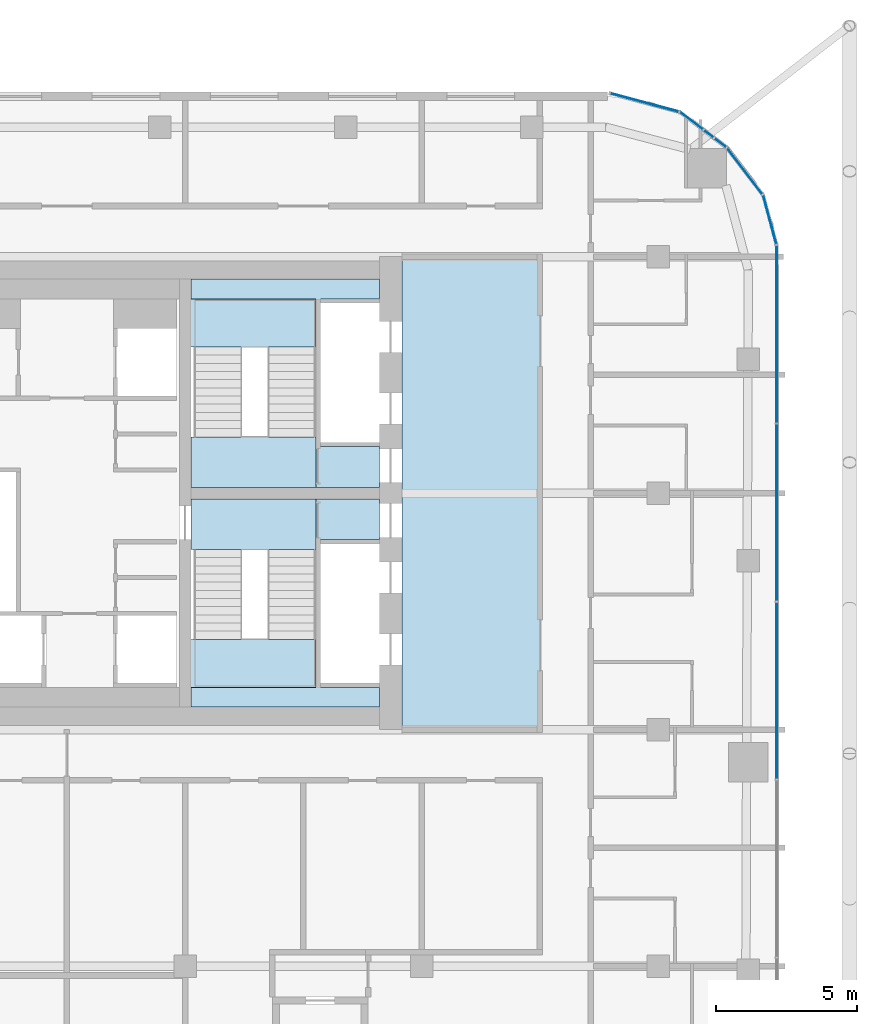
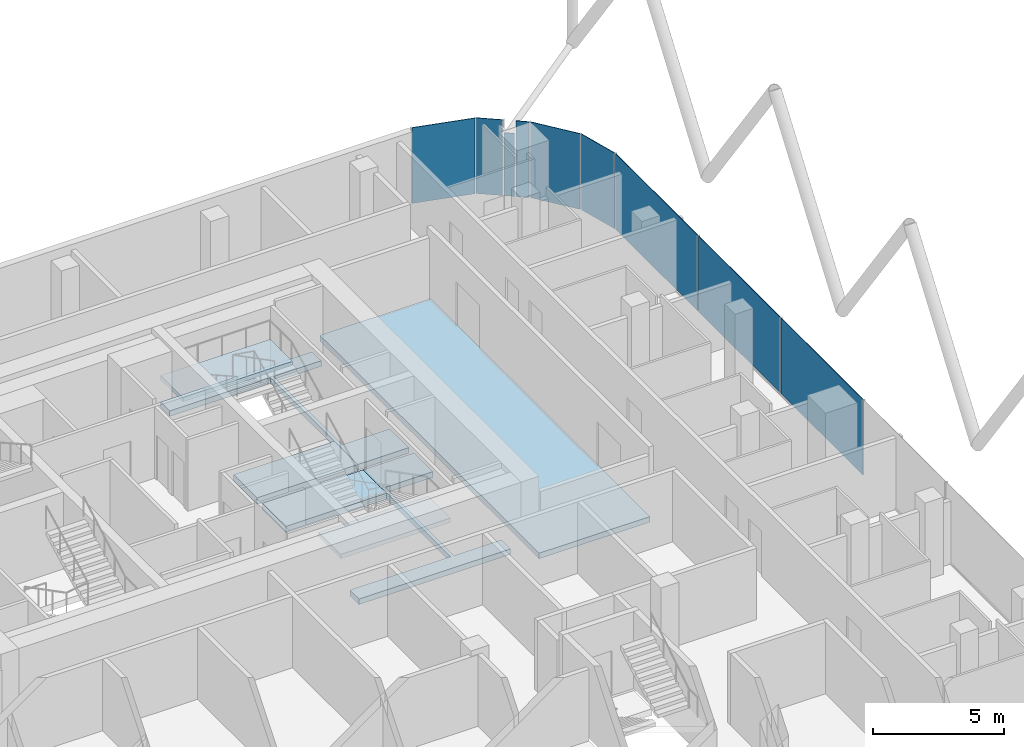
# One storey, part 19 of 28: 9 plates, 7 slabs, 9 elements without a shape of their own.
"""IFC4 building model written with IfcOpenShell, lengths in metres."""

from ifc_helpers import new_model, si_unit, direction, frame, origin, origin_2d, place, context, subcontext, project, spatial, polyline, rectangle, outline, extrude, material, layer, layer_set, type_object, element, aggregate, save


model = new_model("IFC4")

# Units and contexts
model_context = context("Model", 3, precision=1e-05, world=origin(), true_north=direction((0.0, 1.0)))
body_context = subcontext(model_context, "Body", "Model", "MODEL_VIEW")
ifc_project = project(units=[si_unit("LENGTHUNIT", "METRE"), si_unit("AREAUNIT", "SQUARE_METRE"), si_unit("VOLUMEUNIT", "CUBIC_METRE"), si_unit("PLANEANGLEUNIT", "RADIAN"), si_unit("MASSUNIT", "GRAM", prefix="KILO")], contexts=[model_context])

# Site, building, storey
site_placement = place(None, origin())
site = spatial("IfcSite", under=ifc_project, at=site_placement, CompositionType="ELEMENT")
building_placement = place(site_placement, origin())
building = spatial("IfcBuilding", under=site, at=building_placement, Name="Marenta Gate Hotel Tower", CompositionType="ELEMENT")
storey_placement = place(building_placement, frame((0.0, 0.0, 212.89990234375)))
storey = spatial("IfcBuildingStorey", under=building, at=storey_placement, Name="L49", CompositionType="ELEMENT", Elevation=212.89990234375)

# Slabs
ifc_material_1 = material(Name="Concrete C40", Category="concrete")
ifc_layer_1 = layer(ifc_material_1, 0.260009765625)
ifc_layer_set_1 = layer_set([ifc_layer_1], Name="Concrete C40")
slab_type_1 = type_object("IfcSlabType", Name="Core floor slab 260", PredefinedType="FLOOR", material=ifc_layer_set_1)
slab_1_placement = place(storey_placement, frame((0.0, 0.0, -0.260009765625)))
element("IfcSlab", 1, at=slab_1_placement, inside=storey, type_object=slab_type_1, Name="L49-CF-1", PredefinedType="FLOOR", context=body_context, shape_type="SweptSolid", body=[
    extrude(outline(polyline([(11.89990234375, 0.0), (11.89990234375, 16.800048828125), (16.800048828125, 16.800048828125), (16.800048828125, 0.0), (11.89990234375, 0.0)])), origin(), (0.0, 0.0, 1.0), 0.260009765625),
])
slab_2_placement = place(storey_placement, frame((0.0, 0.0, -0.260009765625)))
element("IfcSlab", 2, at=slab_2_placement, inside=storey, type_object=slab_type_1, Name="L49-CF-2", PredefinedType="FLOOR", context=body_context, shape_type="SweptSolid", body=[
    extrude(outline(polyline([(8.85009765625, 1.5), (8.85009765625, 6.39990234375), (8.85009765625, 8.10009765625), (8.85009765625, 8.199951171875), (11.10009765625, 8.199951171875), (11.10009765625, 6.75), (9.0, 6.75), (9.0, 6.60009765625), (9.0, 4.199951171875), (9.0, 4.050048828125), (9.0, 1.64990234375), (9.0, 1.5), (11.10009765625, 1.5), (11.10009765625, 0.800048828125), (4.39990234375, 0.800048828125), (4.39990234375, 1.5), (8.85009765625, 1.5)])), origin(), (0.0, 0.0, 1.0), 0.260009765625),
])
slab_3_placement = place(storey_placement, frame((0.0, 0.0, -0.260009765625)))
element("IfcSlab", 3, at=slab_3_placement, inside=storey, type_object=slab_type_1, Name="L49-CF-3", PredefinedType="FLOOR", context=body_context, shape_type="SweptSolid", body=[
    extrude(outline(polyline([(8.85009765625, 15.300048828125), (4.39990234375, 15.300048828125), (4.39990234375, 16.0), (11.10009765625, 16.0), (11.10009765625, 15.300048828125), (9.0, 15.300048828125), (9.0, 15.14990234375), (9.0, 12.75), (9.0, 12.60009765625), (9.0, 10.199951171875), (9.0, 10.050048828125), (11.10009765625, 10.050048828125), (11.10009765625, 8.60009765625), (8.85009765625, 8.60009765625), (8.85009765625, 8.699951171875), (8.85009765625, 10.39990234375), (8.85009765625, 15.300048828125)])), origin(), (0.0, 0.0, 1.0), 0.260009765625),
])

# Stair, slab
ifc_material_2 = material(Name="Concrete C40", Category="concrete")
stair_type = type_object("IfcStairType", Name="Core exit stair 1700 wide", PredefinedType="HALF_TURN_STAIR", material=ifc_material_2)
stair_1_placement = place(storey_placement, origin())
stair_1 = element("IfcStair", 4, at=stair_1_placement, inside=storey, type_object=stair_type, Name="Exit stair 3", PredefinedType="HALF_TURN_STAIR")
ifc_material_3 = material(Name="Concrete C40", Category="concrete")
ifc_layer_2 = layer(ifc_material_3, 0.199951171875)
ifc_layer_set_2 = layer_set([ifc_layer_2], Name="Concrete C40")
slab_type_2 = type_object("IfcSlabType", Name="Core stair landing 200", PredefinedType="LANDING", material=ifc_layer_set_2)
slab_4_placement = place(storey_placement, frame((0.0, 0.0, 1.60009765625)))
slab_4 = element("IfcSlab", 5, at=slab_4_placement, type_object=slab_type_2, Name="SL-200 ST3 landing 1", PredefinedType="LANDING", context=body_context, shape_type="SweptSolid", body=[
    extrude(outline(polyline([(4.0, 1.5), (8.85009765625, 1.5), (8.85009765625, 3.2099609375), (4.0, 3.2099609375), (4.0, 1.5)])), origin(), (0.0, 0.0, 1.0), 0.199951171875),
])
aggregate(stair_1, [slab_4])

stair_2_placement = place(storey_placement, origin())
stair_2 = element("IfcStair", 6, at=stair_2_placement, inside=storey, type_object=stair_type, Name="Exit stair 4", PredefinedType="HALF_TURN_STAIR")
slab_5_placement = place(storey_placement, frame((0.0, 0.0, 1.60009765625)))
slab_5 = element("IfcSlab", 7, at=slab_5_placement, type_object=slab_type_2, Name="SL-200 ST4 landing 1", PredefinedType="LANDING", context=body_context, shape_type="SweptSolid", body=[
    extrude(outline(polyline([(4.0, 13.590087890625), (8.85009765625, 13.590087890625), (8.85009765625, 15.300048828125), (4.0, 15.300048828125), (4.0, 13.590087890625)])), origin(), (0.0, 0.0, 1.0), 0.199951171875),
])
aggregate(stair_2, [slab_5])

# Curtain wall, plates
ifc_material_4 = material(Name="Tinted insulated glass in bronze anodised frame", Category="glass")
ifc_layer_3 = layer(ifc_material_4, 0.1201171875)
ifc_layer_set_3 = layer_set([ifc_layer_3], Name="Tinted insulated glass in bronze anodised frame")
curtain_wall_type = type_object("IfcCurtainWallType", Name="Tower unitised curtain wall CW1", PredefinedType="NOTDEFINED", material=ifc_layer_set_3)
curtain_wall_1_placement = place(storey_placement, origin())
curtain_wall_1 = element("IfcCurtainWall", 8, at=curtain_wall_1_placement, inside=storey, type_object=curtain_wall_type, Name="CW1 run G19", PredefinedType="NOTDEFINED")
ifc_material_5 = material(Name="Tinted insulated glass", Category="glass")
ifc_layer_4 = layer(ifc_material_5, 0.028076171875)
ifc_layer_set_4 = layer_set([ifc_layer_4], Name="Tinted insulated glass")
plate_type = type_object("IfcPlateType", Name="Glass panel CW1 28 mm tinted insulated unit", PredefinedType="CURTAIN_PANEL", material=ifc_layer_set_4)
plate_1_placement = place(storey_placement, frame((25.214111328125, 1.38525390625, 0.06005859375), z_axis=(0.0, 0.0, 1.0), x_axis=(0.0, 1.0, 0.0)))
plate_1 = element("IfcPlate", 9, at=plate_1_placement, type_object=plate_type, Name="CW1 panel 4.1", PredefinedType="CURTAIN_PANEL", context=body_context, shape_type="SweptSolid", body=[
    extrude(rectangle(XDim=6.2626953125, YDim=0.028076171875, at=origin_2d()), origin(), (0.0, 0.0, 1.0), 3.5400390625),
])
plate_2_placement = place(storey_placement, frame((25.214111328125, 7.7080078125, 0.06005859375), z_axis=(0.0, 0.0, 1.0), x_axis=(0.0, 1.0, 0.0)))
plate_2 = element("IfcPlate", 10, at=plate_2_placement, type_object=plate_type, Name="CW1 panel 5.1", PredefinedType="CURTAIN_PANEL", context=body_context, shape_type="SweptSolid", body=[
    extrude(rectangle(XDim=6.2626953125, YDim=0.028076171875, at=origin_2d()), origin(), (0.0, 0.0, 1.0), 3.5400390625),
])
plate_3_placement = place(storey_placement, frame((25.214111328125, 14.045654296875, 0.06005859375), z_axis=(0.0, 0.0, 1.0), x_axis=(0.0, 1.0, 0.0)))
plate_3 = element("IfcPlate", 11, at=plate_3_placement, type_object=plate_type, Name="CW1 panel 6.1", PredefinedType="CURTAIN_PANEL", context=body_context, shape_type="SweptSolid", body=[
    extrude(rectangle(XDim=6.29248046875, YDim=0.028076171875, at=origin_2d()), origin(), (0.0, 0.0, 1.0), 3.5400390625),
])
aggregate(curtain_wall_1, [plate_1, plate_2, plate_3])

# Curtain wall, plate
curtain_wall_2_placement = place(storey_placement, origin())
curtain_wall_2 = element("IfcCurtainWall", 12, at=curtain_wall_2_placement, inside=storey, type_object=curtain_wall_type, Name="CW1 run G20", PredefinedType="NOTDEFINED")
plate_4_placement = place(storey_placement, frame((24.96630859375, 18.1162109375, 0.06005859375), z_axis=(0.0, 0.0, 1.0), x_axis=(-0.258824166754, 0.965924453932, 0.0)))
plate_4 = element("IfcPlate", 13, at=plate_4_placement, type_object=plate_type, Name="CW1 panel 1.1", PredefinedType="CURTAIN_PANEL", context=body_context, shape_type="SweptSolid", body=[
    extrude(rectangle(XDim=1.793701171875, YDim=0.028076171875, at=origin_2d()), origin(), (0.0, 0.0, 1.0), 3.5400390625),
])
aggregate(curtain_wall_2, [plate_4])

curtain_wall_3_placement = place(storey_placement, origin())
curtain_wall_3 = element("IfcCurtainWall", 14, at=curtain_wall_3_placement, inside=storey, type_object=curtain_wall_type, Name="CW1 run G21", PredefinedType="NOTDEFINED")
plate_5_placement = place(storey_placement, frame((24.0751953125, 19.84130859375, 0.06005859375), z_axis=(0.0, 0.0, 1.0), x_axis=(-0.608787499222, 0.793333335233, 0.0)))
plate_5 = element("IfcPlate", 15, at=plate_5_placement, type_object=plate_type, Name="CW1 panel 1.1", PredefinedType="CURTAIN_PANEL", context=body_context, shape_type="SweptSolid", body=[
    extrude(rectangle(XDim=2.045166015625, YDim=0.028076171875, at=origin_2d()), origin(), (0.0, 0.0, 1.0), 3.5400390625),
])
aggregate(curtain_wall_3, [plate_5])

curtain_wall_4_placement = place(storey_placement, origin())
curtain_wall_4 = element("IfcCurtainWall", 16, at=curtain_wall_4_placement, inside=storey, type_object=curtain_wall_type, Name="CW1 run G22", PredefinedType="NOTDEFINED")
plate_6_placement = place(storey_placement, frame((23.20458984375, 20.843017578125, 0.06005859375), z_axis=(0.0, 0.0, 1.0), x_axis=(-0.793347091368, 0.608769572677, 0.0)))
plate_6 = element("IfcPlate", 17, at=plate_6_placement, type_object=plate_type, Name="CW1 panel 1.1", PredefinedType="CURTAIN_PANEL", context=body_context, shape_type="SweptSolid", body=[
    extrude(rectangle(XDim=0.505126953125, YDim=0.028076171875, at=origin_2d()), origin(), (0.0, 0.0, 1.0), 3.5400390625),
])
aggregate(curtain_wall_4, [plate_6])

curtain_wall_5_placement = place(storey_placement, origin())
curtain_wall_5 = element("IfcCurtainWall", 18, at=curtain_wall_5_placement, inside=storey, type_object=curtain_wall_type, Name="CW1 run G23", PredefinedType="NOTDEFINED")
plate_7_placement = place(storey_placement, frame((22.794677734375, 21.157470703125, 0.060302734375), z_axis=(0.0, 0.0, 1.0), x_axis=(-0.793290143052, 0.608843780404, 0.0)))
plate_7 = element("IfcPlate", 19, at=plate_7_placement, type_object=plate_type, Name="CW1 panel 1.1", PredefinedType="CURTAIN_PANEL", context=body_context, shape_type="SweptSolid", body=[
    extrude(rectangle(XDim=0.408447265625, YDim=0.028076171875, at=origin_2d()), origin(), (0.0, 0.0, 1.0), 2.9404296875),
])
aggregate(curtain_wall_5, [plate_7])

curtain_wall_6_placement = place(storey_placement, origin())
curtain_wall_6 = element("IfcCurtainWall", 20, at=curtain_wall_6_placement, inside=storey, type_object=curtain_wall_type, Name="CW1 run G24", PredefinedType="NOTDEFINED")
plate_8_placement = place(storey_placement, frame((22.183837890625, 21.626220703125, 0.06005859375), z_axis=(0.0, 0.0, 1.0), x_axis=(-0.793344960162, 0.60877235005, 0.0)))
plate_8 = element("IfcPlate", 21, at=plate_8_placement, type_object=plate_type, Name="CW1 panel 1.1", PredefinedType="CURTAIN_PANEL", context=body_context, shape_type="SweptSolid", body=[
    extrude(rectangle(XDim=1.01171875, YDim=0.028076171875, at=origin_2d()), origin(), (0.0, 0.0, 1.0), 3.5400390625),
])
aggregate(curtain_wall_6, [plate_8])

curtain_wall_7_placement = place(storey_placement, origin())
curtain_wall_7 = element("IfcCurtainWall", 22, at=curtain_wall_7_placement, inside=storey, type_object=curtain_wall_type, Name="CW1 run G25", PredefinedType="NOTDEFINED")
plate_9_placement = place(storey_placement, frame((20.51953125, 22.272705078125, 0.06005859375), z_axis=(0.0, 0.0, 1.0), x_axis=(-0.96592961764, 0.258804895175, 0.0)))
plate_9 = element("IfcPlate", 23, at=plate_9_placement, type_object=plate_type, Name="CW1 panel 1.1", PredefinedType="CURTAIN_PANEL", context=body_context, shape_type="SweptSolid", body=[
    extrude(rectangle(XDim=2.4951171875, YDim=0.028076171875, at=origin_2d()), origin(), (0.0, 0.0, 1.0), 3.5400390625),
])
aggregate(curtain_wall_7, [plate_9])

# Slabs
ifc_material_6 = material(Name="Concrete C40", Category="concrete")
ifc_layer_5 = layer(ifc_material_6, 0.300048828125)
ifc_layer_set_5 = layer_set([ifc_layer_5], Name="Concrete C40")
slab_type_3 = type_object("IfcSlabType", Name="Stair floor landing slab 300", PredefinedType="FLOOR", material=ifc_layer_set_5)
slab_6_placement = place(storey_placement, frame((0.0, 0.0, -0.2998046875)))
element("IfcSlab", 24, at=slab_6_placement, inside=storey, type_object=slab_type_3, Name="L49-CL-ST3-1", PredefinedType="FLOOR", context=body_context, shape_type="SweptSolid", body=[
    extrude(outline(polyline([(4.39990234375, 6.39990234375), (4.39990234375, 8.199951171875), (8.85009765625, 8.199951171875), (8.85009765625, 8.10009765625), (8.85009765625, 6.39990234375), (4.39990234375, 6.39990234375)])), origin(), (0.0, 0.0, 1.0), 0.2998046875),
])
slab_7_placement = place(storey_placement, frame((0.0, 0.0, -0.2998046875)))
element("IfcSlab", 25, at=slab_7_placement, inside=storey, type_object=slab_type_3, Name="L49-CL-ST4-1", PredefinedType="FLOOR", context=body_context, shape_type="SweptSolid", body=[
    extrude(outline(polyline([(4.39990234375, 8.60009765625), (4.39990234375, 10.39990234375), (8.85009765625, 10.39990234375), (8.85009765625, 8.699951171875), (8.85009765625, 8.60009765625), (4.39990234375, 8.60009765625)])), origin(), (0.0, 0.0, 1.0), 0.2998046875),
])

save(model, "model.ifc")
